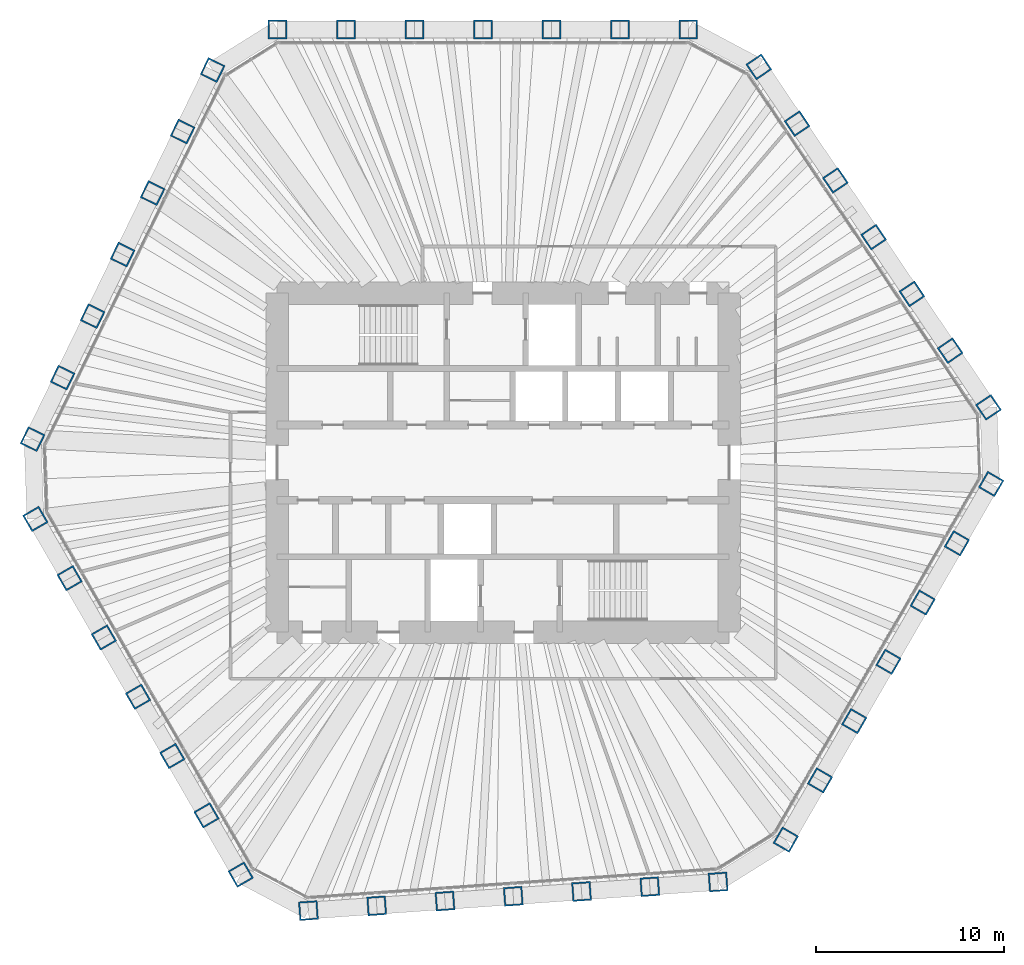
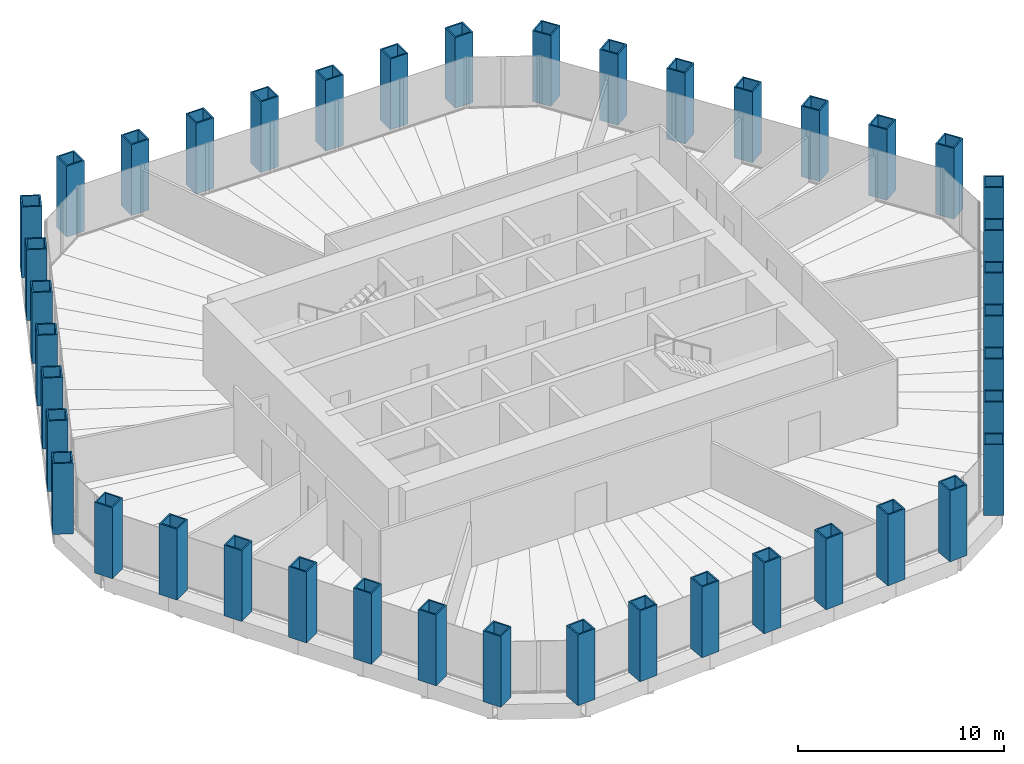
# One storey, part 1 of 12: 42 columns.
"""IFC4 building model written with IfcOpenShell, lengths in metres."""

from ifc_helpers import new_model, si_unit, direction, frame, origin, origin_2d, place, context, subcontext, project, spatial, hollow_rectangle, extrude, material, material_profile, profile_set, type_object, element, save


model = new_model("IFC4")

# Units and contexts
model_context = context("Model", 3, precision=1e-05, world=origin(), true_north=direction((0.0, 1.0)))
body_context = subcontext(model_context, "Body", "Model", "MODEL_VIEW")
ifc_project = project(units=[si_unit("LENGTHUNIT", "METRE"), si_unit("AREAUNIT", "SQUARE_METRE"), si_unit("VOLUMEUNIT", "CUBIC_METRE"), si_unit("PLANEANGLEUNIT", "RADIAN"), si_unit("MASSUNIT", "GRAM", prefix="KILO")], contexts=[model_context])

# Site, building, storey
site_placement = place(None, origin())
site = spatial("IfcSite", under=ifc_project, at=site_placement, CompositionType="ELEMENT")
building_placement = place(site_placement, origin())
building = spatial("IfcBuilding", under=site, at=building_placement, Name="Qingtian Harvest Tower", CompositionType="ELEMENT")
storey_placement = place(building_placement, frame((0.0, 0.0, 251.800048828125)))
storey = spatial("IfcBuildingStorey", under=building, at=storey_placement, Name="L55", CompositionType="ELEMENT", Elevation=251.800048828125)

# Columns
ifc_material = material(Name="Steel SM570MC", Category="steel")
ifc_material_profile = material_profile(ifc_material, hollow_rectangle(XDim=1.0, YDim=1.0, WallThickness=0.080078125, at=origin_2d()), Name="BOX1000x1000x80")
ifc_profile_set = profile_set([ifc_material_profile], Name="Steel SM570MC")
column_type = type_object("IfcColumnType", Name="Transition tube column TK3 BOX1000x1000x80", PredefinedType="COLUMN", material=ifc_profile_set)
for number, where, z_axis, x_axis, name in (
    (1, (-11.971923828125, 23.0, 0.0), (0.0, 0.0, 1.0), (-1.0, 0.0, 0.0), "Tube column TK3 N0"),
    (2, (-8.33837890625, 23.0, 0.0), (0.0, 0.0, 1.0), (-1.0, 0.0, 0.0), "Tube column TK3 N1"),
    (3, (-4.704833984375, 23.0, 0.0), (0.0, 0.0, 1.0), (-1.0, 0.0, 0.0), "Tube column TK3 N2"),
    (4, (-1.0712890625, 23.0, 0.0), (0.0, 0.0, 1.0), (-1.0, 0.0, 0.0), "Tube column TK3 N3"),
    (5, (2.562255859375, 23.0, 0.0), (0.0, 0.0, 1.0), (-1.0, 0.0, 0.0), "Tube column TK3 N4"),
    (6, (6.19580078125, 23.0, 0.0), (0.0, 0.0, 1.0), (-1.0, 0.0, 0.0), "Tube column TK3 N5"),
    (7, (9.829345703125, 23.0, 0.0), (0.0, 0.0, 1.0), (-1.0, 0.0, 0.0), "Tube column TK3 N6"),
    (8, (13.5712890625, 21.01025390625, 0.0), (0.0, 0.0, 1.0), (-0.559192903471, 0.829037572555, 0.0), "Tube column TK3 NE0"),
    (9, (15.603271484375, 17.998046875, 0.0), (0.0, 0.0, 1.0), (-0.559192903471, 0.829037572555, 0.0), "Tube column TK3 NE1"),
    (10, (17.635009765625, 14.985595703125, 0.0), (0.0, 0.0, 1.0), (-0.559192903471, 0.829037572555, 0.0), "Tube column TK3 NE2"),
    (11, (19.6669921875, 11.97314453125, 0.0), (0.0, 0.0, 1.0), (-0.559192903471, 0.829037572555, 0.0), "Tube column TK3 NE3"),
    (12, (21.69873046875, 8.9609375, 0.0), (0.0, 0.0, 1.0), (-0.559192903471, 0.829037572555, 0.0), "Tube column TK3 NE4"),
    (13, (23.730712890625, 5.948486328125, 0.0), (0.0, 0.0, 1.0), (-0.559192903471, 0.829037572555, 0.0), "Tube column TK3 NE5"),
    (14, (25.762451171875, 2.936279296875, 0.0), (0.0, 0.0, 1.0), (-0.559192903471, 0.829037572555, 0.0), "Tube column TK3 NE6"),
    (15, (25.904541015625, -1.1318359375, 0.0), (0.0, 0.0, 1.0), (0.5, 0.866025403784, 0.0), "Tube column TK3 SE0"),
    (16, (24.087890625, -4.27880859375, 0.0), (0.0, 0.0, 1.0), (0.5, 0.866025403784, 0.0), "Tube column TK3 SE1"),
    (17, (22.27099609375, -7.425537109375, 0.0), (0.0, 0.0, 1.0), (0.5, 0.866025403784, 0.0), "Tube column TK3 SE2"),
    (18, (20.454345703125, -10.572265625, 0.0), (0.0, 0.0, 1.0), (0.5, 0.866025403784, 0.0), "Tube column TK3 SE3"),
    (19, (18.637451171875, -13.718994140625, 0.0), (0.0, 0.0, 1.0), (0.5, 0.866025403784, 0.0), "Tube column TK3 SE4"),
    (20, (16.82080078125, -16.86572265625, 0.0), (0.0, 0.0, 1.0), (0.5, 0.866025403784, 0.0), "Tube column TK3 SE5"),
    (21, (15.00390625, -20.012451171875, 0.0), (0.0, 0.0, 1.0), (0.5, 0.866025403784, 0.0), "Tube column TK3 SE6"),
    (22, (11.40966796875, -22.25830078125, 0.0), (0.0, 0.0, 1.0), (0.99756405026, 0.069756473744, 0.0), "Tube column TK3 S0"),
    (23, (7.78515625, -22.51171875, 0.0), (0.0, 0.0, 1.0), (0.99756405026, 0.069756473744, 0.0), "Tube column TK3 S1"),
    (24, (4.160400390625, -22.76513671875, 0.0), (0.0, 0.0, 1.0), (0.99756405026, 0.069756473744, 0.0), "Tube column TK3 S2"),
    (25, (0.53564453125, -23.018798828125, 0.0), (0.0, 0.0, 1.0), (0.99756405026, 0.069756473744, 0.0), "Tube column TK3 S3"),
    (26, (-3.089111328125, -23.272216796875, 0.0), (0.0, 0.0, 1.0), (0.99756405026, 0.069756473744, 0.0), "Tube column TK3 S4"),
    (27, (-6.713623046875, -23.525634765625, 0.0), (0.0, 0.0, 1.0), (0.99756405026, 0.069756473744, 0.0), "Tube column TK3 S5"),
    (28, (-10.33837890625, -23.779052734375, 0.0), (0.0, 0.0, 1.0), (0.99756405026, 0.069756473744, 0.0), "Tube column TK3 S6"),
    (29, (-13.9326171875, -21.8681640625, 0.0), (0.0, 0.0, 1.0), (0.5, -0.866025403784, 0.0), "Tube column TK3 SW0"),
    (30, (-15.749267578125, -18.72119140625, 0.0), (0.0, 0.0, 1.0), (0.5, -0.866025403784, 0.0), "Tube column TK3 SW1"),
    (31, (-17.566162109375, -15.574462890625, 0.0), (0.0, 0.0, 1.0), (0.5, -0.866025403784, 0.0), "Tube column TK3 SW2"),
    (32, (-19.3828125, -12.427734375, 0.0), (0.0, 0.0, 1.0), (0.5, -0.866025403784, 0.0), "Tube column TK3 SW3"),
    (33, (-21.19970703125, -9.281005859375, 0.0), (0.0, 0.0, 1.0), (0.5, -0.866025403784, 0.0), "Tube column TK3 SW4"),
    (34, (-23.016357421875, -6.13427734375, 0.0), (0.0, 0.0, 1.0), (0.5, -0.866025403784, 0.0), "Tube column TK3 SW5"),
    (35, (-24.833251953125, -2.987548828125, 0.0), (0.0, 0.0, 1.0), (0.5, -0.866025403784, 0.0), "Tube column TK3 SW6"),
    (36, (-24.981201171875, 1.248046875, 0.0), (0.0, 0.0, 1.0), (-0.438371146789, -0.898794046299, 0.0), "Tube column TK3 NW0"),
    (37, (-23.388427734375, 4.513916015625, 0.0), (0.0, 0.0, 1.0), (-0.438371146789, -0.898794046299, 0.0), "Tube column TK3 NW1"),
    (38, (-21.79541015625, 7.779541015625, 0.0), (0.0, 0.0, 1.0), (-0.438371146789, -0.898794046299, 0.0), "Tube column TK3 NW2"),
    (39, (-20.20263671875, 11.04541015625, 0.0), (0.0, 0.0, 1.0), (-0.438371146789, -0.898794046299, 0.0), "Tube column TK3 NW3"),
    (40, (-18.60986328125, 14.311279296875, 0.0), (0.0, 0.0, 1.0), (-0.438371146789, -0.898794046299, 0.0), "Tube column TK3 NW4"),
    (41, (-17.016845703125, 17.5771484375, 0.0), (0.0, 0.0, 1.0), (-0.438371146789, -0.898794046299, 0.0), "Tube column TK3 NW5"),
    (42, (-15.424072265625, 20.8427734375, 0.0), (0.0, 0.0, 1.0), (-0.438371146789, -0.898794046299, 0.0), "Tube column TK3 NW6"),
):
    element("IfcColumn", number, at=place(storey_placement, frame(where, z_axis=z_axis, x_axis=x_axis)), inside=storey, type_object=column_type, Name=name, PredefinedType="COLUMN", context=body_context, shape_type="SweptSolid", body=[
        extrude(hollow_rectangle(XDim=1.0, YDim=1.0, WallThickness=0.080078125, at=origin_2d()), origin(), (0.0, 0.0, 1.0), 4.199951171875),
    ])

save(model, "model.ifc")
